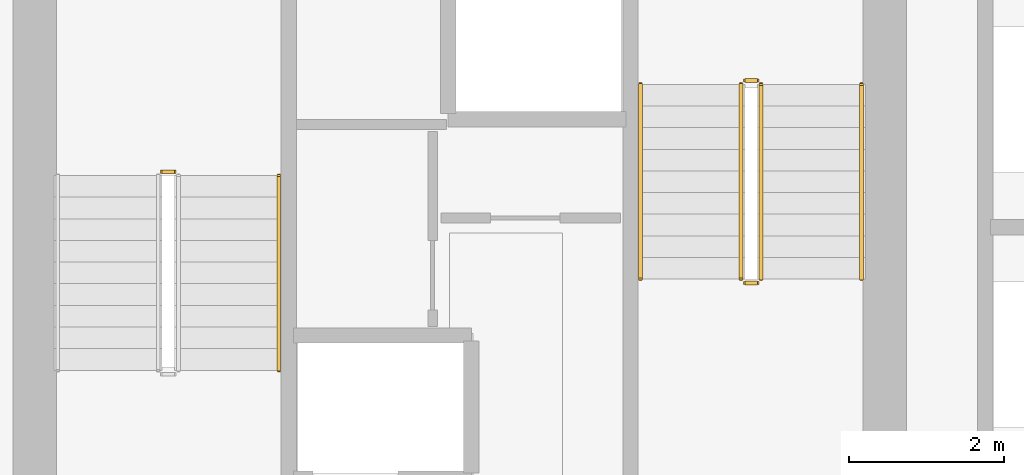
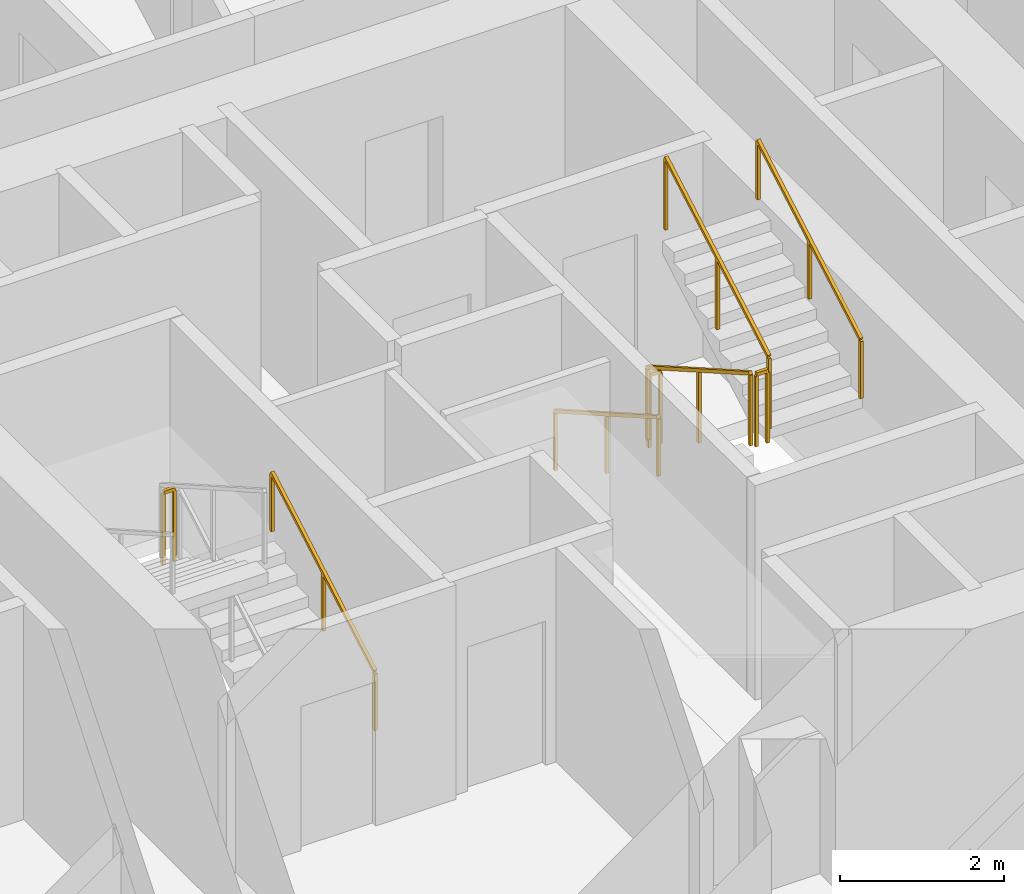
# One storey, part 12 of 13: 8 railings.
"""IFC4 building model written with IfcOpenShell, lengths in metres."""

from ifc_helpers import new_model, si_unit, direction, frame, origin, origin_2d, place, context, subcontext, project, spatial, rectangle, extrude, material, type_object, element, save


model = new_model("IFC4")

# Units and contexts
model_context = context("Model", 3, precision=1e-05, world=origin(), true_north=direction((0.0, 1.0)))
body_context = subcontext(model_context, "Body", "Model", "MODEL_VIEW")
ifc_project = project(units=[si_unit("LENGTHUNIT", "METRE"), si_unit("AREAUNIT", "SQUARE_METRE"), si_unit("VOLUMEUNIT", "CUBIC_METRE"), si_unit("PLANEANGLEUNIT", "RADIAN"), si_unit("MASSUNIT", "GRAM", prefix="KILO")], contexts=[model_context])

# Site, building, storey
site_placement = place(None, origin())
site = spatial("IfcSite", under=ifc_project, at=site_placement, CompositionType="ELEMENT")
building_placement = place(site_placement, origin())
building = spatial("IfcBuilding", under=site, at=building_placement, Name="Veldorim Arch Residences", CompositionType="ELEMENT")
storey_placement = place(building_placement, frame((0.0, 0.0, 53.60009765625)))
storey = spatial("IfcBuildingStorey", under=building, at=storey_placement, Name="L15", CompositionType="ELEMENT", Elevation=53.60009765625)

# Railings
ifc_material_1 = material(Name="Steel S355", Category="steel")
railing_type_1 = type_object("IfcRailingType", Name="Galvanised Steel Stair Safety Guardrail 1100", PredefinedType="GUARDRAIL", material=ifc_material_1)
railing_1_placement = place(storey_placement, frame((28.31005859375, 24.719970703125, 1.599853515625)))
element("IfcRailing", 1, at=railing_1_placement, inside=storey, type_object=railing_type_1, Name="L15 ST-1 stair guard 2", PredefinedType="GUARDRAIL", context=body_context, shape_type="SweptSolid", body=[
    extrude(rectangle(XDim=0.048095703125, YDim=0.048095703125, at=origin_2d()), frame((0.0, 0.0, 1.076171875), z_axis=(-1.0, 0.0, 0.0), x_axis=(0.0, -1.0, 0.0)), (0.0, 0.0, 1.0), 0.16015625),
    extrude(rectangle(XDim=0.0419921875, YDim=0.0419921875, at=origin_2d()), origin(), (0.0, 0.0, 1.0), 1.052001953125),
    extrude(rectangle(XDim=0.0419921875, YDim=0.0419921875, at=origin_2d()), frame((-0.16015625, 0.0, 0.0)), (0.0, 0.0, 1.0), 1.052001953125),
])
railing_2_placement = place(storey_placement, frame((35.639892578125, 25.85009765625, 0.159912109375)))
element("IfcRailing", 2, at=railing_2_placement, inside=storey, type_object=railing_type_1, Name="L15 ST-2 stair guard 1", PredefinedType="GUARDRAIL", context=body_context, shape_type="SweptSolid", body=[
    extrude(rectangle(XDim=0.048095703125, YDim=0.048095703125, at=origin_2d()), frame((0.0, 0.0, 1.076171875), z_axis=(0.0, -0.868253494771, 0.496120820787), x_axis=(1.0, 0.0, 0.0)), (0.0, 0.0, 1.0), 2.90234375),
    extrude(rectangle(XDim=0.0419921875, YDim=0.0419921875, at=origin_2d()), origin(), (0.0, 0.0, 1.0), 1.052001953125),
    extrude(rectangle(XDim=0.0419921875, YDim=0.0419921875, at=origin_2d()), frame((0.0, -1.260009765625, 0.719970703125)), (0.0, 0.0, 1.0), 1.052001953125),
    extrude(rectangle(XDim=0.0419921875, YDim=0.0419921875, at=origin_2d()), frame((0.0, -2.52001953125, 1.43994140625)), (0.0, 0.0, 1.0), 1.052001953125),
])
railing_3_placement = place(storey_placement, frame((35.68994140625, 23.280029296875, 1.599853515625)))
element("IfcRailing", 3, at=railing_3_placement, inside=storey, type_object=railing_type_1, Name="L15 ST-2 stair guard 2", PredefinedType="GUARDRAIL", context=body_context, shape_type="SweptSolid", body=[
    extrude(rectangle(XDim=0.048095703125, YDim=0.048095703125, at=origin_2d()), frame((0.0, 0.0, 1.076171875), z_axis=(1.0, 0.0, 0.0), x_axis=(0.0, 1.0, 0.0)), (0.0, 0.0, 1.0), 0.16015625),
    extrude(rectangle(XDim=0.0419921875, YDim=0.0419921875, at=origin_2d()), origin(), (0.0, 0.0, 1.0), 1.052001953125),
    extrude(rectangle(XDim=0.0419921875, YDim=0.0419921875, at=origin_2d()), frame((0.16015625, 0.0, 0.0)), (0.0, 0.0, 1.0), 1.052001953125),
])
railing_4_placement = place(storey_placement, frame((35.89990234375, 23.330078125, 1.760009765625)))
element("IfcRailing", 4, at=railing_4_placement, inside=storey, type_object=railing_type_1, Name="L15 ST-2 stair guard 3", PredefinedType="GUARDRAIL", context=body_context, shape_type="SweptSolid", body=[
    extrude(rectangle(XDim=0.048095703125, YDim=0.048095703125, at=origin_2d()), frame((0.0, 0.0, 1.076171875), z_axis=(0.0, 0.868253494771, 0.496120820787), x_axis=(-1.0, 0.0, 0.0)), (0.0, 0.0, 1.0), 2.90234375),
    extrude(rectangle(XDim=0.0419921875, YDim=0.0419921875, at=origin_2d()), origin(), (0.0, 0.0, 1.0), 1.052001953125),
    extrude(rectangle(XDim=0.0419921875, YDim=0.0419921875, at=origin_2d()), frame((0.0, 1.260009765625, 0.719970703125)), (0.0, 0.0, 1.0), 1.052001953125),
    extrude(rectangle(XDim=0.0419921875, YDim=0.0419921875, at=origin_2d()), frame((0.0, 2.52001953125, 1.43994140625)), (0.0, 0.0, 1.0), 1.052001953125),
])
railing_5_placement = place(storey_placement, frame((35.68994140625, 25.89990234375, 0.0)))
element("IfcRailing", 5, at=railing_5_placement, inside=storey, type_object=railing_type_1, Name="L15 ST-2 stair guard 4", PredefinedType="GUARDRAIL", context=body_context, shape_type="SweptSolid", body=[
    extrude(rectangle(XDim=0.048095703125, YDim=0.048095703125, at=origin_2d()), frame((0.0, 0.0, 1.076171875), z_axis=(1.0, 0.0, 0.0), x_axis=(0.0, 1.0, 0.0)), (0.0, 0.0, 1.0), 0.16015625),
    extrude(rectangle(XDim=0.0419921875, YDim=0.0419921875, at=origin_2d()), origin(), (0.0, 0.0, 1.0), 1.052001953125),
    extrude(rectangle(XDim=0.0419921875, YDim=0.0419921875, at=origin_2d()), frame((0.16015625, 0.0, 0.0)), (0.0, 0.0, 1.0), 1.052001953125),
])
ifc_material_2 = material(Name="Stainless Steel", Category="steel")
railing_type_2 = type_object("IfcRailingType", Name="Tubular Steel Continuous Wall Handrail 900", PredefinedType="HANDRAIL", material=ifc_material_2)
railing_6_placement = place(storey_placement, frame((29.659912109375, 22.14990234375, 0.159912109375)))
element("IfcRailing", 6, at=railing_6_placement, inside=storey, type_object=railing_type_2, Name="L15 ST-1 stair handrail 1", PredefinedType="HANDRAIL", context=body_context, shape_type="SweptSolid", body=[
    extrude(rectangle(XDim=0.048095703125, YDim=0.048095703125, at=origin_2d()), frame((0.0, 0.0, 0.8759765625), z_axis=(0.0, 0.868253494771, 0.496120820787), x_axis=(-1.0, 0.0, 0.0)), (0.0, 0.0, 1.0), 2.90234375),
    extrude(rectangle(XDim=0.0419921875, YDim=0.0419921875, at=origin_2d()), origin(), (0.0, 0.0, 1.0), 0.851806640625),
    extrude(rectangle(XDim=0.0419921875, YDim=0.0419921875, at=origin_2d()), frame((0.0, 1.260009765625, 0.719970703125)), (0.0, 0.0, 1.0), 0.851806640625),
    extrude(rectangle(XDim=0.0419921875, YDim=0.0419921875, at=origin_2d()), frame((0.0, 2.52001953125, 1.43994140625)), (0.0, 0.0, 1.0), 0.851806640625),
])
railing_7_placement = place(storey_placement, frame((34.340087890625, 25.85009765625, 0.159912109375)))
element("IfcRailing", 7, at=railing_7_placement, inside=storey, type_object=railing_type_2, Name="L15 ST-2 stair handrail 1", PredefinedType="HANDRAIL", context=body_context, shape_type="SweptSolid", body=[
    extrude(rectangle(XDim=0.048095703125, YDim=0.048095703125, at=origin_2d()), frame((0.0, 0.0, 0.8759765625), z_axis=(0.0, -0.868253494771, 0.496120820787), x_axis=(1.0, 0.0, 0.0)), (0.0, 0.0, 1.0), 2.90234375),
    extrude(rectangle(XDim=0.0419921875, YDim=0.0419921875, at=origin_2d()), origin(), (0.0, 0.0, 1.0), 0.851806640625),
    extrude(rectangle(XDim=0.0419921875, YDim=0.0419921875, at=origin_2d()), frame((0.0, -1.260009765625, 0.719970703125)), (0.0, 0.0, 1.0), 0.851806640625),
    extrude(rectangle(XDim=0.0419921875, YDim=0.0419921875, at=origin_2d()), frame((0.0, -2.52001953125, 1.43994140625)), (0.0, 0.0, 1.0), 0.851806640625),
])
railing_8_placement = place(storey_placement, frame((37.199951171875, 23.330078125, 1.760009765625)))
element("IfcRailing", 8, at=railing_8_placement, inside=storey, type_object=railing_type_2, Name="L15 ST-2 stair handrail 2", PredefinedType="HANDRAIL", context=body_context, shape_type="SweptSolid", body=[
    extrude(rectangle(XDim=0.048095703125, YDim=0.048095703125, at=origin_2d()), frame((0.0, 0.0, 0.8759765625), z_axis=(0.0, 0.868253494771, 0.496120820787), x_axis=(-1.0, 0.0, 0.0)), (0.0, 0.0, 1.0), 2.90234375),
    extrude(rectangle(XDim=0.0419921875, YDim=0.0419921875, at=origin_2d()), origin(), (0.0, 0.0, 1.0), 0.851806640625),
    extrude(rectangle(XDim=0.0419921875, YDim=0.0419921875, at=origin_2d()), frame((0.0, 1.260009765625, 0.719970703125)), (0.0, 0.0, 1.0), 0.851806640625),
    extrude(rectangle(XDim=0.0419921875, YDim=0.0419921875, at=origin_2d()), frame((0.0, 2.52001953125, 1.43994140625)), (0.0, 0.0, 1.0), 0.851806640625),
])

save(model, "model.ifc")
